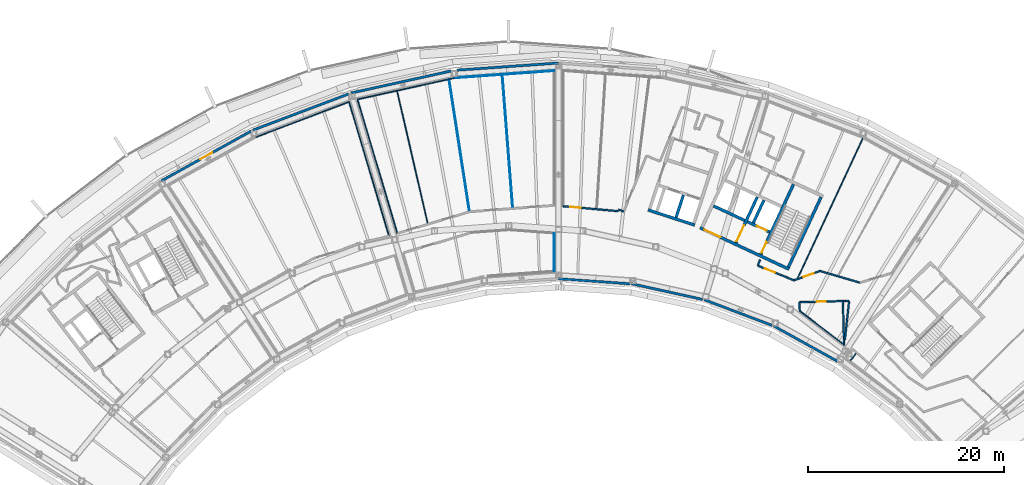
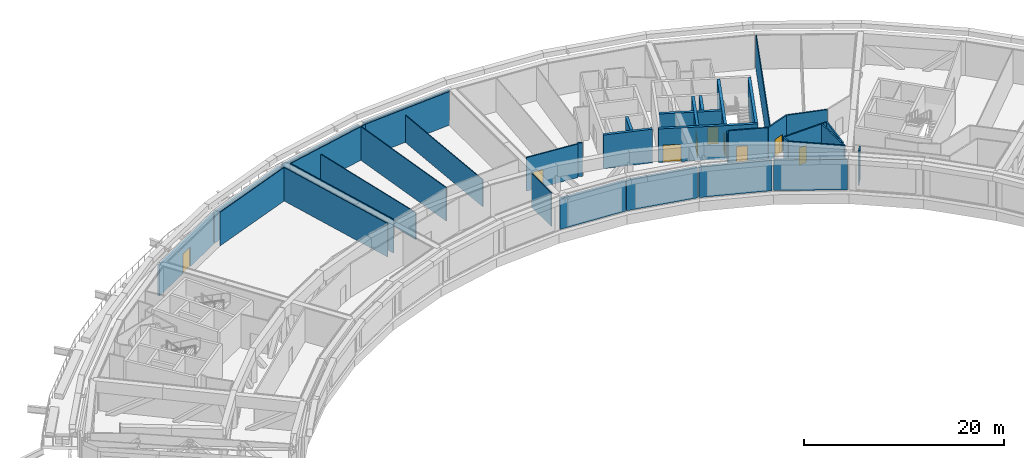
# One storey, part 9 of 24: 39 walls, 9 doors, 9 openings.
"""IFC4 building model written with IfcOpenShell, lengths in metres."""

from ifc_helpers import new_model, si_unit, direction, frame, frame_2d, origin, place, context, subcontext, project, spatial, rectangle, extrude, material, layer, layer_set, type_object, element, fill, save


model = new_model("IFC4")

# Units and contexts
model_context = context("Model", 3, precision=1e-05, world=origin(), true_north=direction((0.0, 1.0)))
body_context = subcontext(model_context, "Body", "Model", "MODEL_VIEW")
ifc_project = project(units=[si_unit("LENGTHUNIT", "METRE"), si_unit("AREAUNIT", "SQUARE_METRE"), si_unit("VOLUMEUNIT", "CUBIC_METRE"), si_unit("PLANEANGLEUNIT", "RADIAN"), si_unit("MASSUNIT", "GRAM", prefix="KILO")], contexts=[model_context])

# Site, building, storey
site_placement = place(None, origin())
site = spatial("IfcSite", under=ifc_project, at=site_placement, CompositionType="ELEMENT")
building_placement = place(site_placement, origin())
building = spatial("IfcBuilding", under=site, at=building_placement, Name="Tuul Gate Civic Tower", CompositionType="ELEMENT")
storey_placement = place(building_placement, frame((0.0, 0.0, 243.89990234375)))
storey = spatial("IfcBuildingStorey", under=building, at=storey_placement, Name="Plant and refuge floor 6", CompositionType="ELEMENT", Elevation=243.89990234375)

# Wall, opening, door
ifc_material_1 = material(Name="Concrete C50/60", Category="concrete")
ifc_layer_1 = layer(ifc_material_1, 0.300048828125)
ifc_layer_set_1 = layer_set([ifc_layer_1], Name="Concrete C50/60")
wall_type_1 = type_object("IfcWallType", Name="Core wall C50/60", PredefinedType="SHEAR", material=ifc_layer_set_1)
wall_1_placement = place(storey_placement, frame((34.5283203125, -7.25, 0.0), z_axis=(0.0, 0.0, 1.0), x_axis=(-0.906310338845, 0.422612789327, 0.0)))
wall_1 = element("IfcWall", 1, at=wall_1_placement, inside=storey, type_object=wall_type_1, Name="Core wall", PredefinedType="SHEAR", context=body_context, shape_type="SweptSolid", body=[
    extrude(rectangle(XDim=9.999755859375, YDim=0.300048828125, at=frame_2d((5.0, 0.0))), origin(), (0.0, 0.0, 1.0), 4.10009765625),
])
opening_1_placement = place(wall_1_placement, frame((7.72509765625, 0.0, 0.0)))
opening_1 = element("IfcOpeningElement", 2, at=opening_1_placement, cuts=wall_1, Name="Opening LB-E3-LOBBY-1", PredefinedType="OPENING", context=body_context, shape_type="SweptSolid", body=[
    extrude(rectangle(XDim=1.800048828125, YDim=2.10009765625, at=frame_2d((0.89990234375, 1.050048828125))), frame((0.0, 0.16015625, 0.0), z_axis=(0.0, -1.0, 0.0), x_axis=(1.0, 0.0, 0.0)), (0.0, 0.0, 1.0), 0.320068359375),
])
ifc_material_2 = material(Name="Steel", Category="steel")
door_type_1 = type_object("IfcDoorType", Name="Lobby door", OperationType="DOUBLE_DOOR_SINGLE_SWING", PredefinedType="DOOR", material=ifc_material_2)
door_1_placement = place(opening_1_placement, frame((1.800048828125, 0.0, 0.0), z_axis=(0.0, 0.0, 1.0), x_axis=(-1.0, 0.0, 0.0)))
door_1 = element("IfcDoor", 3, at=door_1_placement, inside=storey, type_object=door_type_1, Name="Lobby door E3-LOBBY", OperationType="DOUBLE_DOOR_SINGLE_SWING", OverallHeight=2.10009765625, OverallWidth=1.800048828125, PredefinedType="DOOR", context=body_context, shape_type="SweptSolid", body=[
    extrude(rectangle(XDim=1.800048828125, YDim=2.10009765625, at=frame_2d((0.900146484375, 1.050048828125))), frame((0.0, 0.02490234375, 0.0), z_axis=(0.0, -1.0, 0.0), x_axis=(1.0, 0.0, 0.0)), (0.0, 0.0, 1.0), 0.050048828125),
])
fill(opening_1, door_1)

wall_2_placement = place(storey_placement, frame((32.545654296875, -3.456787109375, 0.0), z_axis=(0.0, 0.0, 1.0), x_axis=(-0.906300357825, 0.42263419337, 0.0)))
wall_2 = element("IfcWall", 4, at=wall_2_placement, inside=storey, type_object=wall_type_1, Name="Core wall", PredefinedType="SHEAR", context=body_context, shape_type="SweptSolid", body=[
    extrude(rectangle(XDim=2.500244140625, YDim=0.300048828125, at=frame_2d((1.25, 0.0))), origin(), (0.0, 0.0, 1.0), 4.10009765625),
])
opening_2_placement = place(wall_2_placement, frame((0.324951171875, 0.0, 0.0)))
opening_2 = element("IfcOpeningElement", 5, at=opening_2_placement, cuts=wall_2, Name="Opening LD-FF-2", PredefinedType="OPENING", context=body_context, shape_type="SweptSolid", body=[
    extrude(rectangle(XDim=1.10009765625, YDim=2.10009765625, at=frame_2d((0.550048828125, 1.050048828125))), frame((0.0, 0.16015625, 0.0), z_axis=(0.0, -1.0, 0.0), x_axis=(1.0, 0.0, 0.0)), (0.0, 0.0, 1.0), 0.320068359375),
])
ifc_material_3 = material(Name="Stainless steel", Category="steel")
door_type_2 = type_object("IfcDoorType", Name="Landing door", OperationType="DOUBLE_DOOR_SLIDING", PredefinedType="DOOR", material=ifc_material_3)
door_2_placement = place(opening_2_placement, origin())
door_2 = element("IfcDoor", 6, at=door_2_placement, inside=storey, type_object=door_type_2, Name="Fire-fighting lift FF-2 landing door", OperationType="DOUBLE_DOOR_SLIDING", OverallHeight=2.10009765625, OverallWidth=1.10009765625, PredefinedType="DOOR", context=body_context, shape_type="SweptSolid", body=[
    extrude(rectangle(XDim=1.10009765625, YDim=2.10009765625, at=frame_2d((0.550048828125, 1.050048828125))), frame((0.0, 0.02490234375, 0.0), z_axis=(0.0, -1.0, 0.0), x_axis=(1.0, 0.0, 0.0)), (0.0, 0.0, 1.0), 0.050048828125),
])
fill(opening_2, door_2)

# Walls
wall_3_placement = place(storey_placement, frame((30.0078125, -2.2734375, 0.0), z_axis=(0.0, 0.0, 1.0), x_axis=(-0.90630071767, 0.422633421716, 0.0)))
element("IfcWall", 7, at=wall_3_placement, inside=storey, type_object=wall_type_1, Name="Core wall", PredefinedType="SHEAR", context=body_context, shape_type="SweptSolid", body=[
    extrude(rectangle(XDim=3.5, YDim=0.300048828125, at=frame_2d((1.75, 0.0))), origin(), (0.0, 0.0, 1.0), 4.10009765625),
])
wall_4_placement = place(storey_placement, frame((34.455810546875, -7.05078125, 0.0), z_axis=(0.0, 0.0, 1.0), x_axis=(0.422570768258, 0.906329932096, 0.0)))
element("IfcWall", 8, at=wall_4_placement, inside=storey, type_object=wall_type_1, Name="Core wall", PredefinedType="SHEAR", context=body_context, shape_type="SweptSolid", body=[
    extrude(rectangle(XDim=7.900146484375, YDim=0.300048828125, at=frame_2d((3.9501953125, 0.0))), origin(), (0.0, 0.0, 1.0), 4.10009765625),
])

# Wall, opening, door
wall_5_placement = place(storey_placement, frame((31.646240234375, -5.740478515625, 0.0), z_axis=(0.0, 0.0, 1.0), x_axis=(0.422582604137, 0.906324413596, 0.0)))
wall_5 = element("IfcWall", 9, at=wall_5_placement, inside=storey, type_object=wall_type_1, Name="Core wall", PredefinedType="SHEAR", context=body_context, shape_type="SweptSolid", body=[
    extrude(rectangle(XDim=7.89990234375, YDim=0.300048828125, at=frame_2d((3.949951171875, 0.0))), origin(), (0.0, 0.0, 1.0), 4.10009765625),
])
opening_3_placement = place(wall_5_placement, frame((0.199951171875, 0.0, 0.0)))
opening_3 = element("IfcOpeningElement", 10, at=opening_3_placement, cuts=wall_5, Name="Opening SD-ST-4", PredefinedType="OPENING", context=body_context, shape_type="SweptSolid", body=[
    extrude(rectangle(XDim=1.199951171875, YDim=2.10009765625, at=frame_2d((0.60009765625, 1.050048828125))), frame((0.0, 0.16015625, 0.0), z_axis=(0.0, -1.0, 0.0), x_axis=(1.0, 0.0, 0.0)), (0.0, 0.0, 1.0), 0.320068359375),
])
ifc_material_4 = material(Name="Steel", Category="steel")
door_type_3 = type_object("IfcDoorType", Name="Stair door", OperationType="NOTDEFINED", PredefinedType="DOOR", material=ifc_material_4)
door_3_placement = place(opening_3_placement, origin())
door_3 = element("IfcDoor", 11, at=door_3_placement, inside=storey, type_object=door_type_3, Name="Stair door ST-4", OperationType="SINGLE_SWING_LEFT", OverallHeight=2.10009765625, OverallWidth=1.199951171875, PredefinedType="DOOR", context=body_context, shape_type="SweptSolid", body=[
    extrude(rectangle(XDim=1.199951171875, YDim=2.10009765625, at=frame_2d((0.60009765625, 1.050048828125))), frame((0.0, 0.02490234375, 0.0), z_axis=(0.0, -1.0, 0.0), x_axis=(1.0, 0.0, 0.0)), (0.0, 0.0, 1.0), 0.050048828125),
])
fill(opening_3, door_3)

# Wall
wall_6_placement = place(storey_placement, frame((30.886962890625, -2.517822265625, 0.0), z_axis=(0.0, 0.0, 1.0), x_axis=(0.422612891016, 0.906310291427, 0.0)))
element("IfcWall", 12, at=wall_6_placement, inside=storey, type_object=wall_type_1, Name="Core wall", PredefinedType="SHEAR", context=body_context, shape_type="SweptSolid", body=[
    extrude(rectangle(XDim=2.550048828125, YDim=0.300048828125, at=frame_2d((1.27490234375, 0.0))), origin(), (0.0, 0.0, 1.0), 4.10009765625),
])

# Wall, opening, door
wall_7_placement = place(storey_placement, frame((29.108642578125, -4.557373046875, 0.0), z_axis=(0.0, 0.0, 1.0), x_axis=(0.422566235356, 0.90633204552, 0.0)))
wall_7 = element("IfcWall", 13, at=wall_7_placement, inside=storey, type_object=wall_type_1, Name="Core wall", PredefinedType="SHEAR", context=body_context, shape_type="SweptSolid", body=[
    extrude(rectangle(XDim=5.150146484375, YDim=0.300048828125, at=frame_2d((2.5751953125, 0.0))), origin(), (0.0, 0.0, 1.0), 4.10009765625),
])
opening_4_placement = place(wall_7_placement, frame((0.175048828125, 0.0, 0.0)))
opening_4 = element("IfcOpeningElement", 14, at=opening_4_placement, cuts=wall_7, Name="Opening LB-E3-FLOBBY-1", PredefinedType="OPENING", context=body_context, shape_type="SweptSolid", body=[
    extrude(rectangle(XDim=1.800048828125, YDim=2.10009765625, at=frame_2d((0.89990234375, 1.050048828125))), frame((0.0, 0.16015625, 0.0), z_axis=(0.0, -1.0, 0.0), x_axis=(1.0, 0.0, 0.0)), (0.0, 0.0, 1.0), 0.320068359375),
])
door_4_placement = place(opening_4_placement, frame((1.800048828125, 0.0, 0.0), z_axis=(0.0, 0.0, 1.0), x_axis=(-1.0, 0.0, 0.0)))
door_4 = element("IfcDoor", 15, at=door_4_placement, inside=storey, type_object=door_type_1, Name="Lobby door E3-FLOBBY", OperationType="DOUBLE_DOOR_SINGLE_SWING", OverallHeight=2.10009765625, OverallWidth=1.800048828125, PredefinedType="DOOR", context=body_context, shape_type="SweptSolid", body=[
    extrude(rectangle(XDim=1.800048828125, YDim=2.10009765625, at=frame_2d((0.900146484375, 1.050048828125))), frame((0.0, 0.02490234375, 0.0), z_axis=(0.0, -1.0, 0.0), x_axis=(1.0, 0.0, 0.0)), (0.0, 0.0, 1.0), 0.050048828125),
])
fill(opening_4, door_4)

# Walls
ifc_material_5 = material(Name="Gypsum board partition")
ifc_layer_2 = layer(ifc_material_5, 0.14990234375)
ifc_layer_set_2 = layer_set([ifc_layer_2], Name="Gypsum board partition")
wall_type_2 = type_object("IfcWallType", Name="Corridor wall P150", PredefinedType="PARTITIONING", material=ifc_layer_set_2)
wall_8_placement = place(storey_placement, frame((40.01611328125, -10.49609375, 0.0), z_axis=(0.0, 0.0, 1.0), x_axis=(0.026724634166, -0.99964283318, 0.0)))
element("IfcWall", 16, at=wall_8_placement, inside=storey, type_object=wall_type_2, Name="p001", PredefinedType="PARTITIONING", context=body_context, shape_type="SweptSolid", body=[
    extrude(rectangle(XDim=4.485595703125, YDim=0.14990234375, at=frame_2d((2.24267578125, 0.0))), origin(), (0.0, 0.0, 1.0), 4.10009765625),
])
wall_9_placement = place(storey_placement, frame((35.59765625, -10.6142578125, 0.0), z_axis=(0.0, 0.0, 1.0), x_axis=(0.026704876352, -0.999643361194, 0.0)))
element("IfcWall", 17, at=wall_9_placement, inside=storey, type_object=wall_type_2, Name="p002", PredefinedType="PARTITIONING", context=body_context, shape_type="SweptSolid", body=[
    extrude(rectangle(XDim=0.88671875, YDim=0.14990234375, at=frame_2d((0.443359375, 0.0))), origin(), (0.0, 0.0, 1.0), 4.10009765625),
])

# Wall, opening, door
wall_10_placement = place(storey_placement, frame((35.59765625, -10.6142578125, 0.0), z_axis=(0.0, 0.0, 1.0), x_axis=(0.999641199576, 0.026785669871, 0.0)))
wall_10 = element("IfcWall", 18, at=wall_10_placement, inside=storey, type_object=wall_type_2, Name="p003", PredefinedType="PARTITIONING", context=body_context, shape_type="SweptSolid", body=[
    extrude(rectangle(XDim=5.012939453125, YDim=0.14990234375, at=frame_2d((2.50634765625, 0.0))), origin(), (0.0, 0.0, 1.0), 4.10009765625),
])
opening_5_placement = place(wall_10_placement, frame((1.760009765625, 0.0, 0.0)))
opening_5 = element("IfcOpeningElement", 19, at=opening_5_placement, cuts=wall_10, Name="Opening PB-D01", PredefinedType="OPENING", context=body_context, shape_type="SweptSolid", body=[
    extrude(rectangle(XDim=0.89990234375, YDim=2.10009765625, at=frame_2d((0.449951171875, 1.050048828125))), frame((0.0, 0.0849609375, 0.0), z_axis=(0.0, -1.0, 0.0), x_axis=(1.0, 0.0, 0.0)), (0.0, 0.0, 1.0), 0.169921875),
])
ifc_material_6 = material(Name="Timber door leaf", Category="wood")
door_type_4 = type_object("IfcDoorType", Name="Door D09", OperationType="NOTDEFINED", PredefinedType="DOOR", material=ifc_material_6)
door_5_placement = place(opening_5_placement, frame((0.89990234375, 0.0, 0.0), z_axis=(0.0, 0.0, 1.0), x_axis=(-1.0, 0.0, 0.0)))
door_5 = element("IfcDoor", 20, at=door_5_placement, inside=storey, type_object=door_type_4, Name="Door PB-D01", OperationType="SINGLE_SWING_LEFT", OverallHeight=2.10009765625, OverallWidth=0.89990234375, PredefinedType="DOOR", context=body_context, shape_type="SweptSolid", body=[
    extrude(rectangle(XDim=0.89990234375, YDim=2.10009765625, at=frame_2d((0.449951171875, 1.050048828125))), frame((0.0, 0.02490234375, 0.0), z_axis=(0.0, -1.0, 0.0), x_axis=(1.0, 0.0, 0.0)), (0.0, 0.0, 1.0), 0.050048828125),
])
fill(opening_5, door_5)

# Wall
wall_11_placement = place(storey_placement, frame((37.70361328125, -7.427490234375, 0.0), z_axis=(0.0, 0.0, 1.0), x_axis=(0.959233903641, -0.282613372128, 0.0)))
element("IfcWall", 21, at=wall_11_placement, inside=storey, type_object=wall_type_2, Name="p027", PredefinedType="PARTITIONING", context=body_context, shape_type="SweptSolid", body=[
    extrude(rectangle(XDim=4.227783203125, YDim=0.14990234375, at=frame_2d((2.11376953125, 0.0))), origin(), (0.0, 0.0, 1.0), 4.10009765625),
])

# Wall, opening, door
wall_12_placement = place(storey_placement, frame((35.0546875, -8.380126953125, 0.0), z_axis=(0.0, 0.0, 1.0), x_axis=(0.940918384865, 0.338633419825, 0.0)))
wall_12 = element("IfcWall", 22, at=wall_12_placement, inside=storey, type_object=wall_type_2, Name="p030", PredefinedType="PARTITIONING", context=body_context, shape_type="SweptSolid", body=[
    extrude(rectangle(XDim=2.813232421875, YDim=0.14990234375, at=frame_2d((1.40673828125, 0.0))), origin(), (0.0, 0.0, 1.0), 4.10009765625),
])
opening_6_placement = place(wall_12_placement, frame((1.0126953125, 0.0, 0.0)))
opening_6 = element("IfcOpeningElement", 23, at=opening_6_placement, cuts=wall_12, Name="Opening PB-D07", PredefinedType="OPENING", context=body_context, shape_type="SweptSolid", body=[
    extrude(rectangle(XDim=1.10009765625, YDim=2.10009765625, at=frame_2d((0.550048828125, 1.050048828125))), frame((0.0, 0.0849609375, 0.0), z_axis=(0.0, -1.0, 0.0), x_axis=(1.0, 0.0, 0.0)), (0.0, 0.0, 1.0), 0.169921875),
])
ifc_material_7 = material(Name="Timber door leaf", Category="wood")
door_type_5 = type_object("IfcDoorType", Name="Door D11", OperationType="NOTDEFINED", PredefinedType="DOOR", material=ifc_material_7)
door_6_placement = place(opening_6_placement, frame((1.10009765625, 0.0, 0.0), z_axis=(0.0, 0.0, 1.0), x_axis=(-1.0, 0.0, 0.0)))
door_6 = element("IfcDoor", 24, at=door_6_placement, inside=storey, type_object=door_type_5, Name="Door PB-D07", OperationType="SINGLE_SWING_LEFT", OverallHeight=2.10009765625, OverallWidth=1.10009765625, PredefinedType="DOOR", context=body_context, shape_type="SweptSolid", body=[
    extrude(rectangle(XDim=1.10009765625, YDim=2.10009765625, at=frame_2d((0.550048828125, 1.050048828125))), frame((0.0, 0.02490234375, 0.0), z_axis=(0.0, -1.0, 0.0), x_axis=(1.0, 0.0, 0.0)), (0.0, 0.0, 1.0), 0.050048828125),
])
fill(opening_6, door_6)

# Wall
wall_13_placement = place(storey_placement, frame((17.1357421875, -1.16259765625, 0.0), z_axis=(0.0, 0.0, 1.0), x_axis=(0.927434249373, -0.373986247195, 0.0)))
element("IfcWall", 25, at=wall_13_placement, inside=storey, type_object=wall_type_2, Name="p031", PredefinedType="PARTITIONING", context=body_context, shape_type="SweptSolid", body=[
    extrude(rectangle(XDim=0.5673828125, YDim=0.14990234375, at=frame_2d((0.28369140625, 0.0))), origin(), (0.0, 0.0, 1.0), 4.10009765625),
])

# Wall, opening, door
wall_14_placement = place(storey_placement, frame((31.351806640625, -6.8935546875, 0.0), z_axis=(0.0, 0.0, 1.0), x_axis=(0.927473762785, -0.37388824446, 0.0)))
wall_14 = element("IfcWall", 26, at=wall_14_placement, inside=storey, type_object=wall_type_2, Name="p032", PredefinedType="PARTITIONING", context=body_context, shape_type="SweptSolid", body=[
    extrude(rectangle(XDim=3.975341796875, YDim=0.14990234375, at=frame_2d((1.98779296875, 0.0))), origin(), (0.0, 0.0, 1.0), 4.10009765625),
])
opening_7_placement = place(wall_14_placement, frame((0.7880859375, 0.0, 0.0)))
opening_7 = element("IfcOpeningElement", 27, at=opening_7_placement, cuts=wall_14, Name="Opening PB-D08", PredefinedType="OPENING", context=body_context, shape_type="SweptSolid", body=[
    extrude(rectangle(XDim=1.10009765625, YDim=2.10009765625, at=frame_2d((0.550048828125, 1.050048828125))), frame((0.0, 0.0849609375, 0.0), z_axis=(0.0, -1.0, 0.0), x_axis=(1.0, 0.0, 0.0)), (0.0, 0.0, 1.0), 0.169921875),
])
door_7_placement = place(opening_7_placement, frame((1.10009765625, 0.0, 0.0), z_axis=(0.0, 0.0, 1.0), x_axis=(-1.0, 0.0, 0.0)))
door_7 = element("IfcDoor", 28, at=door_7_placement, inside=storey, type_object=door_type_5, Name="Door PB-D08", OperationType="SINGLE_SWING_LEFT", OverallHeight=2.10009765625, OverallWidth=1.10009765625, PredefinedType="DOOR", context=body_context, shape_type="SweptSolid", body=[
    extrude(rectangle(XDim=1.10009765625, YDim=2.10009765625, at=frame_2d((0.550048828125, 1.050048828125))), frame((0.0, 0.02490234375, 0.0), z_axis=(0.0, -1.0, 0.0), x_axis=(1.0, 0.0, 0.0)), (0.0, 0.0, 1.0), 0.050048828125),
])
fill(opening_7, door_7)

wall_15_placement = place(storey_placement, frame((11.469482421875, -0.8251953125, 0.0), z_axis=(0.0, 0.0, 1.0), x_axis=(0.996072556334, -0.08854073931, 0.0)))
wall_15 = element("IfcWall", 29, at=wall_15_placement, inside=storey, type_object=wall_type_2, Name="p052", PredefinedType="PARTITIONING", context=body_context, shape_type="SweptSolid", body=[
    extrude(rectangle(XDim=5.671875, YDim=0.14990234375, at=frame_2d((2.8359375, 0.0))), origin(), (0.0, 0.0, 1.0), 4.10009765625),
])
opening_8_placement = place(wall_15_placement, frame((0.72900390625, 0.0, 0.0)))
opening_8 = element("IfcOpeningElement", 30, at=opening_8_placement, cuts=wall_15, Name="Opening PB-D11", PredefinedType="OPENING", context=body_context, shape_type="SweptSolid", body=[
    extrude(rectangle(XDim=1.10009765625, YDim=2.10009765625, at=frame_2d((0.550048828125, 1.050048828125))), frame((0.0, 0.0849609375, 0.0), z_axis=(0.0, -1.0, 0.0), x_axis=(1.0, 0.0, 0.0)), (0.0, 0.0, 1.0), 0.169921875),
])
door_8_placement = place(opening_8_placement, origin())
door_8 = element("IfcDoor", 31, at=door_8_placement, inside=storey, type_object=door_type_5, Name="Door PB-D11", OperationType="SINGLE_SWING_LEFT", OverallHeight=2.10009765625, OverallWidth=1.10009765625, PredefinedType="DOOR", context=body_context, shape_type="SweptSolid", body=[
    extrude(rectangle(XDim=1.10009765625, YDim=2.10009765625, at=frame_2d((0.550048828125, 1.050048828125))), frame((0.0, 0.02490234375, 0.0), z_axis=(0.0, -1.0, 0.0), x_axis=(1.0, 0.0, 0.0)), (0.0, 0.0, 1.0), 0.050048828125),
])
fill(opening_8, door_8)

# Walls
wall_16_placement = place(storey_placement, frame((40.22119140625, -14.40771484375, 0.0), z_axis=(0.0, 0.0, 1.0), x_axis=(0.109052979527, 0.994035938815, 0.0)))
element("IfcWall", 32, at=wall_16_placement, inside=storey, type_object=wall_type_2, Name="p072", PredefinedType="PARTITIONING", context=body_context, shape_type="SweptSolid", body=[
    extrude(rectangle(XDim=3.9267578125, YDim=0.14990234375, at=frame_2d((1.96337890625, 0.0))), origin(), (0.0, 0.0, 1.0), 4.10009765625),
])
ifc_material_8 = material(Name="Gypsum board partition")
ifc_layer_3 = layer(ifc_material_8, 0.14990234375)
ifc_layer_set_3 = layer_set([ifc_layer_3], Name="Gypsum board partition")
wall_type_3 = type_object("IfcWallType", Name="Corridor wall P150 3600 HIGH", PredefinedType="PARTITIONING", material=ifc_layer_set_3)
wall_17_placement = place(storey_placement, frame((31.340087890625, -6.8662109375, 0.0), z_axis=(0.0, 0.0, 1.0), x_axis=(0.374000663257, 0.92742843599, 0.0)))
element("IfcWall", 33, at=wall_17_placement, inside=storey, type_object=wall_type_3, Name="p033", PredefinedType="PARTITIONING", context=body_context, shape_type="SweptSolid", body=[
    extrude(rectangle(XDim=0.628662109375, YDim=0.14990234375, at=frame_2d((0.314453125, 0.0))), origin(), (0.0, 0.0, 1.0), 3.60009765625),
])
ifc_material_9 = material(Name="Precast concrete C40/50", Category="concrete")
ifc_layer_4 = layer(ifc_material_9, 0.25)
ifc_layer_set_4 = layer_set([ifc_layer_4], Name="Precast concrete C40/50")
wall_type_4 = type_object("IfcWallType", Name="External wall", PredefinedType="STANDARD", material=ifc_layer_set_4)
wall_18_placement = place(storey_placement, frame((11.031005859375, 13.77734375, 0.0), z_axis=(0.0, 0.0, 1.0), x_axis=(-0.997540186269, -0.070096909901, 0.0)))
element("IfcWall", 34, at=wall_18_placement, inside=storey, type_object=wall_type_4, Name="External wall", PredefinedType="STANDARD", context=body_context, shape_type="SweptSolid", body=[
    extrude(rectangle(XDim=10.379150390625, YDim=0.25, at=frame_2d((5.189453125, 0.0))), origin(), (0.0, 0.0, 1.0), 3.75),
])
wall_19_placement = place(storey_placement, frame((0.0810546875, 12.96923828125, 0.0), z_axis=(0.0, 0.0, 1.0), x_axis=(-0.976559909342, -0.215245774558, 0.0)))
element("IfcWall", 35, at=wall_19_placement, inside=storey, type_object=wall_type_4, Name="External wall", PredefinedType="STANDARD", context=body_context, shape_type="SweptSolid", body=[
    extrude(rectangle(XDim=10.466796875, YDim=0.25, at=frame_2d((5.2333984375, 0.0))), origin(), (0.0, 0.0, 1.0), 3.75),
])
wall_20_placement = place(storey_placement, frame((-10.345947265625, 10.638427734375, 0.0), z_axis=(0.0, 0.0, 1.0), x_axis=(-0.935341215918, -0.353746815964, 0.0)))
element("IfcWall", 36, at=wall_20_placement, inside=storey, type_object=wall_type_4, Name="External wall", PredefinedType="STANDARD", context=body_context, shape_type="SweptSolid", body=[
    extrude(rectangle(XDim=10.489013671875, YDim=0.25, at=frame_2d((5.24462890625, 0.0))), origin(), (0.0, 0.0, 1.0), 3.75),
])

# Wall, opening, door
wall_21_placement = place(storey_placement, frame((-20.3330078125, 6.83251953125, 0.0), z_axis=(0.0, 0.0, 1.0), x_axis=(-0.874629377912, -0.4847921733, 0.0)))
wall_21 = element("IfcWall", 37, at=wall_21_placement, inside=storey, type_object=wall_type_4, Name="External wall", PredefinedType="STANDARD", context=body_context, shape_type="SweptSolid", body=[
    extrude(rectangle(XDim=10.47998046875, YDim=0.25, at=frame_2d((5.239990234375, 0.0))), origin(), (0.0, 0.0, 1.0), 3.75),
])
opening_9_placement = place(wall_21_placement, frame((4.510986328125, 0.0, 0.0)))
opening_9 = element("IfcOpeningElement", 38, at=opening_9_placement, cuts=wall_21, Name="Opening TD", PredefinedType="OPENING", context=body_context, shape_type="SweptSolid", body=[
    extrude(rectangle(XDim=1.39990234375, YDim=2.39990234375, at=frame_2d((0.699951171875, 1.199951171875))), frame((0.0, 0.135009765625, 0.0), z_axis=(0.0, -1.0, 0.0), x_axis=(1.0, 0.0, 0.0)), (0.0, 0.0, 1.0), 0.27001953125),
])
ifc_material_10 = material(Name="Glazed aluminium", Category="aluminium")
door_type_6 = type_object("IfcDoorType", Name="Terrace door", OperationType="DOUBLE_DOOR_SINGLE_SWING", PredefinedType="DOOR", material=ifc_material_10)
door_9_placement = place(opening_9_placement, frame((1.39990234375, 0.0, 0.0), z_axis=(0.0, 0.0, 1.0), x_axis=(-1.0, 0.0, 0.0)))
door_9 = element("IfcDoor", 39, at=door_9_placement, inside=storey, type_object=door_type_6, Name="Terrace door", OperationType="DOUBLE_DOOR_SINGLE_SWING", OverallHeight=2.39990234375, OverallWidth=1.39990234375, PredefinedType="DOOR", context=body_context, shape_type="SweptSolid", body=[
    extrude(rectangle(XDim=1.39990234375, YDim=2.39990234375, at=frame_2d((0.699951171875, 1.199951171875))), frame((0.0, 0.02490234375, 0.0), z_axis=(0.0, -1.0, 0.0), x_axis=(1.0, 0.0, 0.0)), (0.0, 0.0, 1.0), 0.050048828125),
])
fill(opening_9, door_9)

# Walls
wall_22_placement = place(storey_placement, frame((11.031005859375, -8.229248046875, 0.0), z_axis=(0.0, 0.0, 1.0), x_axis=(0.997594877423, -0.069314215995, 0.0)))
element("IfcWall", 40, at=wall_22_placement, inside=storey, type_object=wall_type_4, Name="External wall", PredefinedType="STANDARD", context=body_context, shape_type="SweptSolid", body=[
    extrude(rectangle(XDim=7.280517578125, YDim=0.25, at=frame_2d((3.64013671875, 0.0))), origin(), (0.0, 0.0, 1.0), 3.75),
])
wall_23_placement = place(storey_placement, frame((18.45166015625, -8.72998046875, 0.0), z_axis=(0.0, 0.0, 1.0), x_axis=(0.976589205894, -0.21511281443, 0.0)))
element("IfcWall", 41, at=wall_23_placement, inside=storey, type_object=wall_type_4, Name="External wall", PredefinedType="STANDARD", context=body_context, shape_type="SweptSolid", body=[
    extrude(rectangle(XDim=7.439453125, YDim=0.25, at=frame_2d((3.7197265625, 0.0))), origin(), (0.0, 0.0, 1.0), 3.75),
])
wall_24_placement = place(storey_placement, frame((25.892333984375, -10.364013671875, 0.0), z_axis=(0.0, 0.0, 1.0), x_axis=(0.935328133861, -0.35378140427, 0.0)))
element("IfcWall", 42, at=wall_24_placement, inside=storey, type_object=wall_type_4, Name="External wall", PredefinedType="STANDARD", context=body_context, shape_type="SweptSolid", body=[
    extrude(rectangle(XDim=7.404541015625, YDim=0.25, at=frame_2d((3.7021484375, 0.0))), origin(), (0.0, 0.0, 1.0), 3.75),
])
wall_25_placement = place(storey_placement, frame((32.9873046875, -13.049072265625, 0.0), z_axis=(0.0, 0.0, 1.0), x_axis=(0.874622364219, -0.484804826717, 0.0)))
element("IfcWall", 43, at=wall_25_placement, inside=storey, type_object=wall_type_4, Name="External wall", PredefinedType="STANDARD", context=body_context, shape_type="SweptSolid", body=[
    extrude(rectangle(XDim=7.397216796875, YDim=0.25, at=frame_2d((3.69873046875, 0.0))), origin(), (0.0, 0.0, 1.0), 3.75),
])
ifc_material_11 = material(Name="Concrete C40/50", Category="concrete")
ifc_layer_5 = layer(ifc_material_11, 0.300048828125)
ifc_layer_set_5 = layer_set([ifc_layer_5], Name="Concrete C40/50")
wall_type_5 = type_object("IfcWallType", Name="Lift shaft wall C40/50", PredefinedType="STANDARD", material=ifc_layer_set_5)
wall_26_placement = place(storey_placement, frame((24.911376953125, -2.746337890625, 0.0), z_axis=(0.0, 0.0, 1.0), x_axis=(-0.951067792613, 0.308982287281, 0.0)))
element("IfcWall", 44, at=wall_26_placement, inside=storey, type_object=wall_type_5, Name="Shaft wall", PredefinedType="STANDARD", context=body_context, shape_type="SweptSolid", body=[
    extrude(rectangle(XDim=5.0, YDim=0.300048828125, at=frame_2d((2.5, 0.0))), origin(), (0.0, 0.0, 1.0), 4.10009765625),
])
wall_27_placement = place(storey_placement, frame((23.008056640625, -1.97021484375, 0.0), z_axis=(0.0, 0.0, 1.0), x_axis=(0.309138975195, 0.951016873675, 0.0)))
element("IfcWall", 45, at=wall_27_placement, inside=storey, type_object=wall_type_5, Name="Shaft wall", PredefinedType="STANDARD", context=body_context, shape_type="SweptSolid", body=[
    extrude(rectangle(XDim=2.400146484375, YDim=0.300048828125, at=frame_2d((1.2001953125, 0.0))), origin(), (0.0, 0.0, 1.0), 4.10009765625),
])
ifc_material_12 = material(Name="Gypsum board partition")
ifc_layer_6 = layer(ifc_material_12, 0.10009765625)
ifc_layer_set_6 = layer_set([ifc_layer_6], Name="Gypsum board partition")
wall_type_6 = type_object("IfcWallType", Name="Partition P100", PredefinedType="PARTITIONING", material=ifc_layer_set_6)
wall_28_placement = place(storey_placement, frame((35.348876953125, -8.2744140625, 0.0), z_axis=(0.0, 0.0, 1.0), x_axis=(0.422616346, 0.906308680359, 0.0)))
element("IfcWall", 46, at=wall_28_placement, inside=storey, type_object=wall_type_6, Name="p029", PredefinedType="PARTITIONING", context=body_context, shape_type="SweptSolid", body=[
    extrude(rectangle(XDim=15.893310546875, YDim=0.10009765625, at=frame_2d((7.94677734375, 0.0))), origin(), (0.0, 0.0, 1.0), 4.10009765625),
])
wall_29_placement = place(storey_placement, frame((-0.135986328125, 12.12841796875, 0.0), z_axis=(0.0, 0.0, 1.0), x_axis=(0.152114853316, -0.988362823765, 0.0)))
element("IfcWall", 47, at=wall_29_placement, inside=storey, type_object=wall_type_6, Name="p057", PredefinedType="PARTITIONING", context=body_context, shape_type="SweptSolid", body=[
    extrude(rectangle(XDim=13.67919921875, YDim=0.10009765625, at=frame_2d((6.839599609375, 0.0))), origin(), (0.0, 0.0, 1.0), 4.10009765625),
])
wall_30_placement = place(storey_placement, frame((40.135009765625, -14.9375, 0.0), z_axis=(0.0, 0.0, 1.0), x_axis=(-0.795620366114, 0.60579553731, 0.0)))
element("IfcWall", 48, at=wall_30_placement, inside=storey, type_object=wall_type_6, Name="p075", PredefinedType="PARTITIONING", context=body_context, shape_type="SweptSolid", body=[
    extrude(rectangle(XDim=5.673095703125, YDim=0.10009765625, at=frame_2d((2.83642578125, 0.0))), origin(), (0.0, 0.0, 1.0), 4.10009765625),
])
wall_31_placement = place(storey_placement, frame((40.79150390625, -16.568603515625, 0.0), z_axis=(0.0, 0.0, 1.0), x_axis=(0.605757111312, 0.795649622695, 0.0)))
element("IfcWall", 49, at=wall_31_placement, inside=storey, type_object=wall_type_6, Name="p086", PredefinedType="PARTITIONING", context=body_context, shape_type="SweptSolid", body=[
    extrude(rectangle(XDim=0.89990234375, YDim=0.10009765625, at=frame_2d((0.449951171875, 0.0))), origin(), (0.0, 0.0, 1.0), 4.10009765625),
])
wall_32_placement = place(storey_placement, frame((10.5810546875, -3.57763671875, 0.0), z_axis=(0.0, 0.0, 1.0), x_axis=(0.0, -1.0, 0.0)))
element("IfcWall", 50, at=wall_32_placement, inside=storey, type_object=wall_type_6, Name="p100", PredefinedType="PARTITIONING", context=body_context, shape_type="SweptSolid", body=[
    extrude(rectangle(XDim=3.8857421875, YDim=0.10009765625, at=frame_2d((1.94287109375, 0.0))), origin(), (0.0, 0.0, 1.0), 4.10009765625),
])
wall_33_placement = place(storey_placement, frame((0.446044921875, 12.256591796875, 0.0), z_axis=(0.0, 0.0, 1.0), x_axis=(0.99739031513, 0.072198055958, 0.0)))
element("IfcWall", 51, at=wall_33_placement, inside=storey, type_object=wall_type_6, Name="p105", PredefinedType="PARTITIONING", context=body_context, shape_type="SweptSolid", body=[
    extrude(rectangle(XDim=10.16162109375, YDim=0.10009765625, at=frame_2d((5.080810546875, 0.0))), origin(), (0.0, 0.0, 1.0), 4.10009765625),
])
wall_34_placement = place(storey_placement, frame((-9.476806640625, 10.069580078125, 0.0), z_axis=(0.0, 0.0, 1.0), x_axis=(0.976562110356, 0.215235788421, 0.0)))
element("IfcWall", 52, at=wall_34_placement, inside=storey, type_object=wall_type_6, Name="p107", PredefinedType="PARTITIONING", context=body_context, shape_type="SweptSolid", body=[
    extrude(rectangle(XDim=10.160888671875, YDim=0.10009765625, at=frame_2d((5.08056640625, 0.0))), origin(), (0.0, 0.0, 1.0), 4.10009765625),
])
wall_35_placement = place(storey_placement, frame((-5.4111328125, -3.5927734375, 0.0), z_axis=(0.0, 0.0, 1.0), x_axis=(-0.285221190737, 0.958461721904, 0.0)))
element("IfcWall", 53, at=wall_35_placement, inside=storey, type_object=wall_type_6, Name="p110", PredefinedType="PARTITIONING", context=body_context, shape_type="SweptSolid", body=[
    extrude(rectangle(XDim=14.25439453125, YDim=0.10009765625, at=frame_2d((7.127197265625, 0.0))), origin(), (0.0, 0.0, 1.0), 4.10009765625),
])
wall_36_placement = place(storey_placement, frame((-19.84326171875, 6.218505859375, 0.0), z_axis=(0.0, 0.0, 1.0), x_axis=(0.93533804833, 0.353755191265, 0.0)))
element("IfcWall", 54, at=wall_36_placement, inside=storey, type_object=wall_type_6, Name="p114", PredefinedType="PARTITIONING", context=body_context, shape_type="SweptSolid", body=[
    extrude(rectangle(XDim=10.160888671875, YDim=0.10009765625, at=frame_2d((5.08056640625, 0.0))), origin(), (0.0, 0.0, 1.0), 4.10009765625),
])
wall_37_placement = place(storey_placement, frame((-10.33935546875, 9.81298828125, 0.0), z_axis=(0.0, 0.0, 1.0), x_axis=(0.285213514606, -0.958464006151, 0.0)))
element("IfcWall", 55, at=wall_37_placement, inside=storey, type_object=wall_type_6, Name="p115", PredefinedType="PARTITIONING", context=body_context, shape_type="SweptSolid", body=[
    extrude(rectangle(XDim=14.255615234375, YDim=0.10009765625, at=frame_2d((7.1279296875, 0.0))), origin(), (0.0, 0.0, 1.0), 4.10009765625),
])
ifc_material_13 = material(Name="Gypsum board partition")
ifc_layer_7 = layer(ifc_material_13, 0.10009765625)
ifc_layer_set_7 = layer_set([ifc_layer_7], Name="Gypsum board partition")
wall_type_7 = type_object("IfcWallType", Name="Partition P100 3300 HIGH", PredefinedType="PARTITIONING", material=ifc_layer_set_7)
wall_38_placement = place(storey_placement, frame((5.283203125, 12.606689453125, 0.0), z_axis=(0.0, 0.0, 1.0), x_axis=(0.078460664333, -0.99691721028, 0.0)))
element("IfcWall", 56, at=wall_38_placement, inside=storey, type_object=wall_type_7, Name="p055", PredefinedType="PARTITIONING", context=body_context, shape_type="SweptSolid", body=[
    extrude(rectangle(XDim=13.70361328125, YDim=0.10009765625, at=frame_2d((6.851806640625, 0.0))), origin(), (0.0, 0.0, 1.0), 3.300048828125),
])
wall_39_placement = place(storey_placement, frame((-5.448974609375, 10.95751953125, 0.0), z_axis=(0.0, 0.0, 1.0), x_axis=(0.224965374062, -0.974366758707, 0.0)))
element("IfcWall", 57, at=wall_39_placement, inside=storey, type_object=wall_type_7, Name="p061", PredefinedType="PARTITIONING", context=body_context, shape_type="SweptSolid", body=[
    extrude(rectangle(XDim=13.97900390625, YDim=0.10009765625, at=frame_2d((6.989501953125, 0.0))), origin(), (0.0, 0.0, 1.0), 3.300048828125),
])

save(model, "model.ifc")
